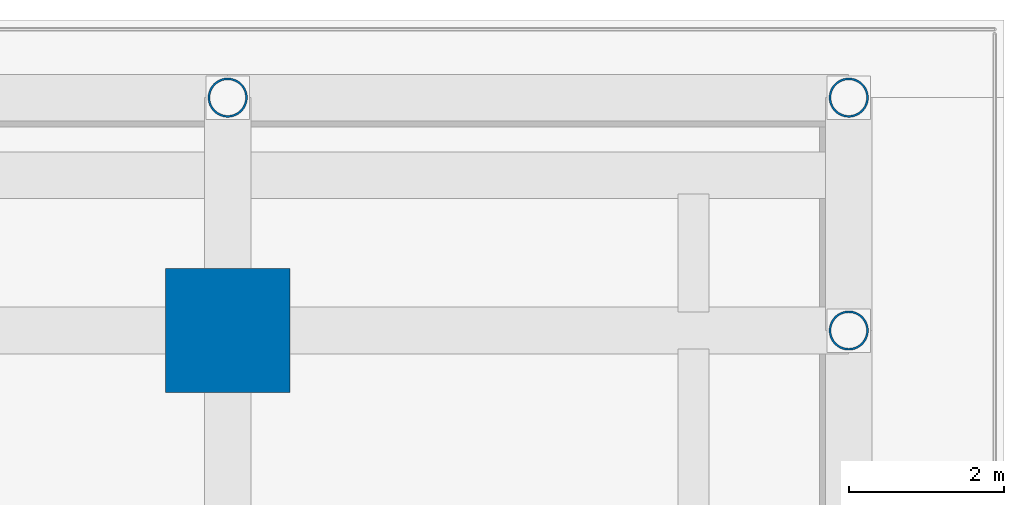
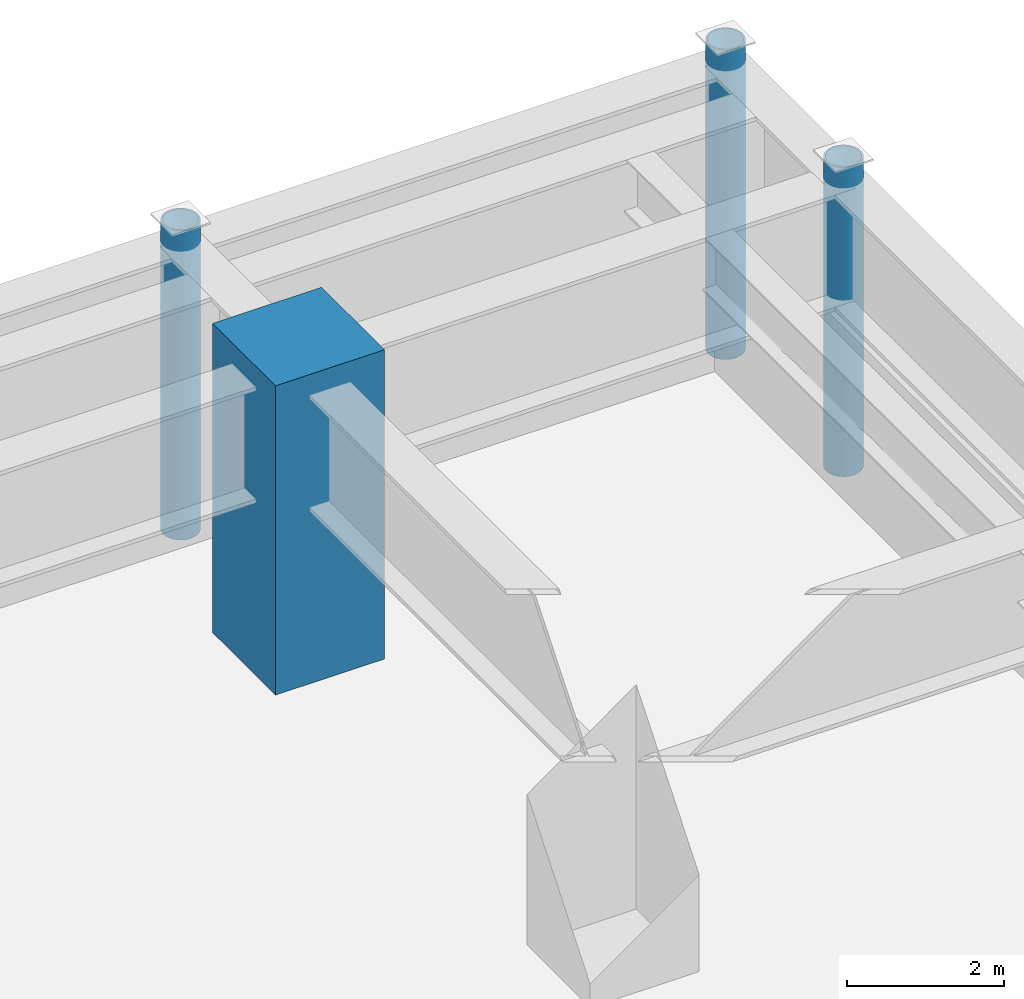
# One storey, part 6 of 38: 4 columns.
"""IFC4 building model written with IfcOpenShell, lengths in metres."""

from ifc_helpers import new_model, si_unit, direction, frame, origin, origin_2d, place, context, subcontext, project, spatial, rectangle, hollow_circle, extrude, source, transform, mapped, material, material_profile, profile_set, type_object, element, save


model = new_model("IFC4")

# Units and contexts
model_context = context("Model", 3, precision=1e-05, world=origin(), true_north=direction((0.0, 1.0)))
body_context = subcontext(model_context, "Body", "Model", "MODEL_VIEW")
ifc_project = project(units=[si_unit("LENGTHUNIT", "METRE"), si_unit("AREAUNIT", "SQUARE_METRE"), si_unit("VOLUMEUNIT", "CUBIC_METRE"), si_unit("PLANEANGLEUNIT", "RADIAN"), si_unit("MASSUNIT", "GRAM", prefix="KILO")], contexts=[model_context])

# Site, building, storey
site_placement = place(None, origin())
site = spatial("IfcSite", under=ifc_project, at=site_placement, CompositionType="ELEMENT")
building_placement = place(site_placement, origin())
building = spatial("IfcBuilding", under=site, at=building_placement, Name="Khorayat Bourse Tower", CompositionType="ELEMENT")
storey_placement = place(building_placement, frame((0.0, 0.0, 17.39990234375)))
storey = spatial("IfcBuildingStorey", under=building, at=storey_placement, Name="L03", CompositionType="ELEMENT", Elevation=17.39990234375)

# Columns
ifc_material_1 = material(Name="Concrete C72/90", Category="concrete")
ifc_material_profile_1 = material_profile(ifc_material_1, rectangle(XDim=1.60009765625, YDim=1.60009765625, at=origin_2d()), Name="RC 1600x1600")
ifc_profile_set_1 = profile_set([ifc_material_profile_1], Name="Concrete C72/90")
column_type_1 = type_object("IfcColumnType", Name="COL-MEGA-1600", PredefinedType="COLUMN", material=ifc_profile_set_1)
shared_shape_1 = source(origin(), body_context, "Body", "SweptSolid", [
    extrude(rectangle(XDim=1.60009765625, YDim=1.60009765625, at=origin_2d()), origin(), (0.0, 0.0, 1.0), 4.800048828125),
])
column_placement = place(storey_placement, frame((32.0, 32.0, 0.0), z_axis=(0.0, 0.0, 1.0), x_axis=(1.0, 0.0, 0.0)))
element("IfcColumn", 1, at=column_placement, inside=storey, type_object=column_type_1, Name="L03 Column 071", PredefinedType="COLUMN", context=body_context, shape_type="MappedRepresentation", body=[
    mapped(shared_shape_1, transform((0.0, 0.0, 0.0), scale=1.0)),
])
ifc_material_2 = material(Name="Steel EN 10025-2 S355J2", Category="steel")
ifc_material_profile_2 = material_profile(ifc_material_2, hollow_circle(Radius=0.25390625, WallThickness=0.02490234375, at=origin_2d()), Name="CHS 508x25")
ifc_profile_set_2 = profile_set([ifc_material_profile_2], Name="Steel EN 10025-2 S355J2")
column_type_2 = type_object("IfcColumnType", Name="COL-POD-CHS508", PredefinedType="COLUMN", material=ifc_profile_set_2)
shared_shape_2 = source(origin(), body_context, "Body", "SweptSolid", [
    extrude(hollow_circle(Radius=0.25390625, WallThickness=0.02490234375, at=origin_2d()), origin(), (0.0, 0.0, 1.0), 4.800048828125),
])
for number, where, z_axis, x_axis, name in (
    (2, (32.0, 35.0, 0.0), (0.0, 0.0, 1.0), (1.0, 0.0, 0.0), "L03 Column 072"),
    (3, (40.0, 35.0, 0.0), (0.0, 0.0, 1.0), (1.0, 0.0, 0.0), "L03 Column 078"),
    (4, (40.0, 32.0, 0.0), (0.0, 0.0, 1.0), (1.0, 0.0, 0.0), "L03 Perimeter Step Column 4"),
):
    element("IfcColumn", number, at=place(storey_placement, frame(where, z_axis=z_axis, x_axis=x_axis)), inside=storey, type_object=column_type_2, Name=name, PredefinedType="COLUMN", context=body_context, shape_type="MappedRepresentation", body=[
        mapped(shared_shape_2, transform((0.0, 0.0, 0.0), scale=1.0)),
    ])

save(model, "model.ifc")
